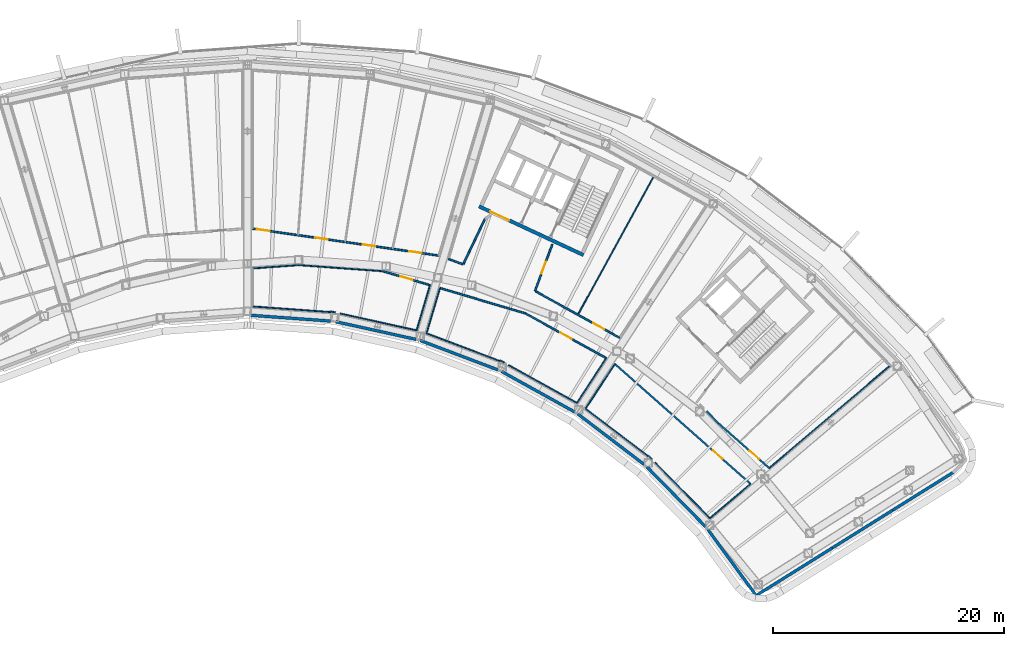
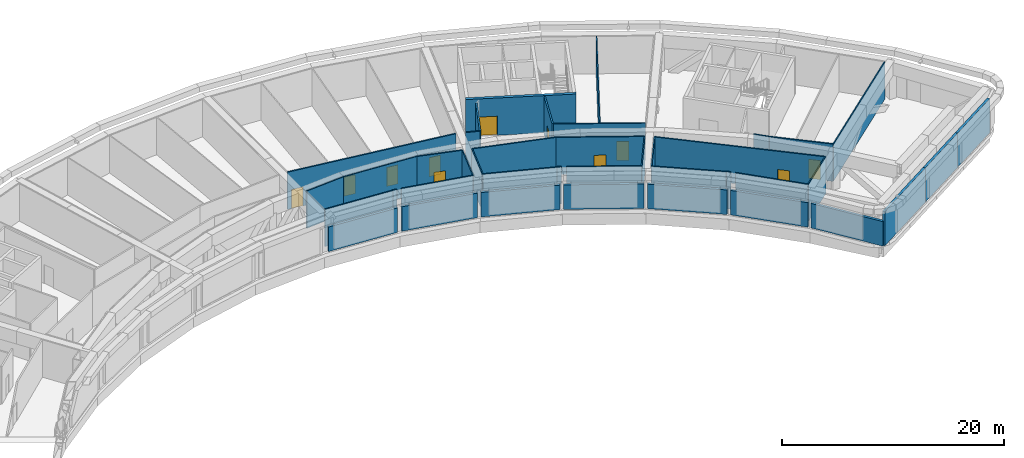
# One storey, part 10 of 25: 40 walls, 11 doors, 11 openings.
"""IFC4 building model written with IfcOpenShell, lengths in metres."""

from ifc_helpers import new_model, si_unit, direction, frame, frame_2d, origin, place, context, subcontext, project, spatial, rectangle, extrude, material, layer, layer_set, type_object, element, fill, save


model = new_model("IFC4")

# Units and contexts
model_context = context("Model", 3, precision=1e-05, world=origin(), true_north=direction((0.0, 1.0)))
body_context = subcontext(model_context, "Body", "Model", "MODEL_VIEW")
ifc_project = project(units=[si_unit("LENGTHUNIT", "METRE"), si_unit("AREAUNIT", "SQUARE_METRE"), si_unit("VOLUMEUNIT", "CUBIC_METRE"), si_unit("PLANEANGLEUNIT", "RADIAN"), si_unit("MASSUNIT", "GRAM", prefix="KILO")], contexts=[model_context])

# Site, building, storey
site_placement = place(None, origin())
site = spatial("IfcSite", under=ifc_project, at=site_placement, CompositionType="ELEMENT")
building_placement = place(site_placement, origin())
building = spatial("IfcBuilding", under=site, at=building_placement, Name="Tuul Gate Civic Tower", CompositionType="ELEMENT")
storey_placement = place(building_placement, frame((0.0, 0.0, 133.699951171875)))
storey = spatial("IfcBuildingStorey", under=building, at=storey_placement, Name="Plant and refuge floor 4", CompositionType="ELEMENT", Elevation=133.699951171875)

# Wall, opening, door
ifc_material_1 = material(Name="Concrete C50/60", Category="concrete")
ifc_layer_1 = layer(ifc_material_1, 0.300048828125)
ifc_layer_set_1 = layer_set([ifc_layer_1], Name="Concrete C50/60")
wall_type_1 = type_object("IfcWallType", Name="Core wall C50/60", PredefinedType="SHEAR", material=ifc_layer_set_1)
wall_1_placement = place(storey_placement, frame((34.5283203125, -7.25, 0.0), z_axis=(0.0, 0.0, 1.0), x_axis=(-0.906310338845, 0.422612789327, 0.0)))
wall_1 = element("IfcWall", 1, at=wall_1_placement, inside=storey, type_object=wall_type_1, Name="Core wall", PredefinedType="SHEAR", context=body_context, shape_type="SweptSolid", body=[
    extrude(rectangle(XDim=9.999755859375, YDim=0.300048828125, at=frame_2d((5.0, 0.0))), origin(), (0.0, 0.0, 1.0), 4.10009765625),
])
opening_1_placement = place(wall_1_placement, frame((7.125, 0.0, 0.0)))
opening_1 = element("IfcOpeningElement", 2, at=opening_1_placement, cuts=wall_1, Name="Opening LB-E3-LOBBY-1", PredefinedType="OPENING", context=body_context, shape_type="SweptSolid", body=[
    extrude(rectangle(XDim=1.800048828125, YDim=2.10009765625, at=frame_2d((0.89990234375, 1.050048828125))), frame((0.0, 0.16015625, 0.0), z_axis=(0.0, -1.0, 0.0), x_axis=(1.0, 0.0, 0.0)), (0.0, 0.0, 1.0), 0.320068359375),
])
ifc_material_2 = material(Name="Steel", Category="steel")
door_type_1 = type_object("IfcDoorType", Name="Lobby door", OperationType="DOUBLE_DOOR_SINGLE_SWING", PredefinedType="DOOR", material=ifc_material_2)
door_1_placement = place(opening_1_placement, frame((1.800048828125, 0.0, 0.0), z_axis=(0.0, 0.0, 1.0), x_axis=(-1.0, 0.0, 0.0)))
door_1 = element("IfcDoor", 3, at=door_1_placement, inside=storey, type_object=door_type_1, Name="Lobby door E3-LOBBY", OperationType="DOUBLE_DOOR_SINGLE_SWING", OverallHeight=2.10009765625, OverallWidth=1.800048828125, PredefinedType="DOOR", context=body_context, shape_type="SweptSolid", body=[
    extrude(rectangle(XDim=1.800048828125, YDim=2.10009765625, at=frame_2d((0.900146484375, 1.050048828125))), frame((0.0, 0.02490234375, 0.0), z_axis=(0.0, -1.0, 0.0), x_axis=(1.0, 0.0, 0.0)), (0.0, 0.0, 1.0), 0.050048828125),
])
fill(opening_1, door_1)

ifc_material_3 = material(Name="Gypsum board partition")
ifc_layer_2 = layer(ifc_material_3, 0.14990234375)
ifc_layer_set_2 = layer_set([ifc_layer_2], Name="Gypsum board partition")
wall_type_2 = type_object("IfcWallType", Name="Corridor wall P150", PredefinedType="PARTITIONING", material=ifc_layer_set_2)
wall_2_placement = place(storey_placement, frame((46.232421875, -21.843505859375, 0.0), z_axis=(0.0, 0.0, 1.0), x_axis=(0.749758807728, -0.661711213623, 0.0)))
wall_2 = element("IfcWall", 4, at=wall_2_placement, inside=storey, type_object=wall_type_2, Name="p023", PredefinedType="PARTITIONING", context=body_context, shape_type="SweptSolid", body=[
    extrude(rectangle(XDim=5.85888671875, YDim=0.14990234375, at=frame_2d((2.929443359375, 0.0))), origin(), (0.0, 0.0, 1.0), 4.10009765625),
])
opening_2_placement = place(wall_2_placement, frame((3.59423828125, 0.0, 0.0)))
opening_2 = element("IfcOpeningElement", 5, at=opening_2_placement, cuts=wall_2, Name="Opening PB-D04", PredefinedType="OPENING", context=body_context, shape_type="SweptSolid", body=[
    extrude(rectangle(XDim=1.10009765625, YDim=2.10009765625, at=frame_2d((0.550048828125, 1.050048828125))), frame((0.0, 0.0849609375, 0.0), z_axis=(0.0, -1.0, 0.0), x_axis=(1.0, 0.0, 0.0)), (0.0, 0.0, 1.0), 0.169921875),
])
ifc_material_4 = material(Name="Timber door leaf", Category="wood")
door_type_2 = type_object("IfcDoorType", Name="Door D11", OperationType="NOTDEFINED", PredefinedType="DOOR", material=ifc_material_4)
door_2_placement = place(opening_2_placement, origin())
door_2 = element("IfcDoor", 6, at=door_2_placement, inside=storey, type_object=door_type_2, Name="Door PB-D04", OperationType="SINGLE_SWING_RIGHT", OverallHeight=2.10009765625, OverallWidth=1.10009765625, PredefinedType="DOOR", context=body_context, shape_type="SweptSolid", body=[
    extrude(rectangle(XDim=1.10009765625, YDim=2.10009765625, at=frame_2d((0.550048828125, 1.050048828125))), frame((0.0, 0.02490234375, 0.0), z_axis=(0.0, -1.0, 0.0), x_axis=(1.0, 0.0, 0.0)), (0.0, 0.0, 1.0), 0.050048828125),
])
fill(opening_2, door_2)

# Wall
wall_3_placement = place(storey_placement, frame((45.18994140625, -20.77978515625, 0.0), z_axis=(0.0, 0.0, 1.0), x_axis=(0.69994028848, -0.714201366957, 0.0)))
element("IfcWall", 7, at=wall_3_placement, inside=storey, type_object=wall_type_2, Name="p026", PredefinedType="PARTITIONING", context=body_context, shape_type="SweptSolid", body=[
    extrude(rectangle(XDim=1.489501953125, YDim=0.14990234375, at=frame_2d((0.74462890625, 0.0))), origin(), (0.0, 0.0, 1.0), 4.10009765625),
])

# Wall, opening, door
wall_4_placement = place(storey_placement, frame((37.240478515625, -16.68701171875, 0.0), z_axis=(0.0, 0.0, 1.0), x_axis=(0.749307383061, -0.662222353663, 0.0)))
wall_4 = element("IfcWall", 8, at=wall_4_placement, inside=storey, type_object=wall_type_2, Name="p027", PredefinedType="PARTITIONING", context=body_context, shape_type="SweptSolid", body=[
    extrude(rectangle(XDim=15.707763671875, YDim=0.14990234375, at=frame_2d((7.85400390625, 0.0))), origin(), (0.0, 0.0, 1.0), 4.10009765625),
])
opening_3_placement = place(wall_4_placement, frame((11.35400390625, 0.0, 0.0)))
opening_3 = element("IfcOpeningElement", 9, at=opening_3_placement, cuts=wall_4, Name="Opening PB-D06", PredefinedType="OPENING", context=body_context, shape_type="SweptSolid", body=[
    extrude(rectangle(XDim=1.10009765625, YDim=2.10009765625, at=frame_2d((0.550048828125, 1.050048828125))), frame((0.0, 0.0849609375, 0.0), z_axis=(0.0, -1.0, 0.0), x_axis=(1.0, 0.0, 0.0)), (0.0, 0.0, 1.0), 0.169921875),
])
door_3_placement = place(opening_3_placement, frame((1.10009765625, 0.0, 0.0), z_axis=(0.0, 0.0, 1.0), x_axis=(-1.0, 0.0, 0.0)))
door_3 = element("IfcDoor", 10, at=door_3_placement, inside=storey, type_object=door_type_2, Name="Door PB-D06", OperationType="SINGLE_SWING_LEFT", OverallHeight=2.10009765625, OverallWidth=1.10009765625, PredefinedType="DOOR", context=body_context, shape_type="SweptSolid", body=[
    extrude(rectangle(XDim=1.10009765625, YDim=2.10009765625, at=frame_2d((0.550048828125, 1.050048828125))), frame((0.0, 0.02490234375, 0.0), z_axis=(0.0, -1.0, 0.0), x_axis=(1.0, 0.0, 0.0)), (0.0, 0.0, 1.0), 0.050048828125),
])
fill(opening_3, door_3)

wall_5_placement = place(storey_placement, frame((30.372802734375, -10.395263671875, 0.0), z_axis=(0.0, 0.0, 1.0), x_axis=(0.874966536261, -0.484183395444, 0.0)))
wall_5 = element("IfcWall", 11, at=wall_5_placement, inside=storey, type_object=wall_type_2, Name="p029", PredefinedType="PARTITIONING", context=body_context, shape_type="SweptSolid", body=[
    extrude(rectangle(XDim=8.312255859375, YDim=0.14990234375, at=frame_2d((4.15625, 0.0))), origin(), (0.0, 0.0, 1.0), 4.10009765625),
])
opening_4_placement = place(wall_5_placement, frame((5.69970703125, 0.0, 0.0)))
opening_4 = element("IfcOpeningElement", 12, at=opening_4_placement, cuts=wall_5, Name="Opening PB-D07", PredefinedType="OPENING", context=body_context, shape_type="SweptSolid", body=[
    extrude(rectangle(XDim=1.10009765625, YDim=2.10009765625, at=frame_2d((0.550048828125, 1.050048828125))), frame((0.0, 0.0849609375, 0.0), z_axis=(0.0, -1.0, 0.0), x_axis=(1.0, 0.0, 0.0)), (0.0, 0.0, 1.0), 0.169921875),
])
door_4_placement = place(opening_4_placement, origin())
door_4 = element("IfcDoor", 13, at=door_4_placement, inside=storey, type_object=door_type_2, Name="Door PB-D07", OperationType="SINGLE_SWING_RIGHT", OverallHeight=2.10009765625, OverallWidth=1.10009765625, PredefinedType="DOOR", context=body_context, shape_type="SweptSolid", body=[
    extrude(rectangle(XDim=1.10009765625, YDim=2.10009765625, at=frame_2d((0.550048828125, 1.050048828125))), frame((0.0, 0.02490234375, 0.0), z_axis=(0.0, -1.0, 0.0), x_axis=(1.0, 0.0, 0.0)), (0.0, 0.0, 1.0), 0.050048828125),
])
fill(opening_4, door_4)

# Wall
wall_6_placement = place(storey_placement, frame((22.828125, -7.5908203125, 0.0), z_axis=(0.0, 0.0, 1.0), x_axis=(0.937353206963, -0.348380489401, 0.0)))
element("IfcWall", 14, at=wall_6_placement, inside=storey, type_object=wall_type_2, Name="p030", PredefinedType="PARTITIONING", context=body_context, shape_type="SweptSolid", body=[
    extrude(rectangle(XDim=1.327392578125, YDim=0.14990234375, at=frame_2d((0.66357421875, 0.0))), origin(), (0.0, 0.0, 1.0), 4.10009765625),
])

# Wall, opening, door
wall_7_placement = place(storey_placement, frame((30.3193359375, -10.352783203125, 0.0), z_axis=(0.0, 0.0, 1.0), x_axis=(0.348411551992, 0.937341661529, 0.0)))
wall_7 = element("IfcWall", 15, at=wall_7_placement, inside=storey, type_object=wall_type_2, Name="p031", PredefinedType="PARTITIONING", context=body_context, shape_type="SweptSolid", body=[
    extrude(rectangle(XDim=4.303955078125, YDim=0.14990234375, at=frame_2d((2.15185546875, 0.0))), origin(), (0.0, 0.0, 1.0), 4.10009765625),
])
opening_5_placement = place(wall_7_placement, frame((1.60205078125, 0.0, 0.0)))
opening_5 = element("IfcOpeningElement", 16, at=opening_5_placement, cuts=wall_7, Name="Opening PB-D08", PredefinedType="OPENING", context=body_context, shape_type="SweptSolid", body=[
    extrude(rectangle(XDim=1.10009765625, YDim=2.10009765625, at=frame_2d((0.550048828125, 1.050048828125))), frame((0.0, 0.0849609375, 0.0), z_axis=(0.0, -1.0, 0.0), x_axis=(1.0, 0.0, 0.0)), (0.0, 0.0, 1.0), 0.169921875),
])
door_5_placement = place(opening_5_placement, frame((1.10009765625, 0.0, 0.0), z_axis=(0.0, 0.0, 1.0), x_axis=(-1.0, 0.0, 0.0)))
door_5 = element("IfcDoor", 17, at=door_5_placement, inside=storey, type_object=door_type_2, Name="Door PB-D08", OperationType="SINGLE_SWING_LEFT", OverallHeight=2.10009765625, OverallWidth=1.10009765625, PredefinedType="DOOR", context=body_context, shape_type="SweptSolid", body=[
    extrude(rectangle(XDim=1.10009765625, YDim=2.10009765625, at=frame_2d((0.550048828125, 1.050048828125))), frame((0.0, 0.02490234375, 0.0), z_axis=(0.0, -1.0, 0.0), x_axis=(1.0, 0.0, 0.0)), (0.0, 0.0, 1.0), 0.050048828125),
])
fill(opening_5, door_5)

# Wall
wall_8_placement = place(storey_placement, frame((24.098388671875, -8.04296875, 0.0), z_axis=(0.0, 0.0, 1.0), x_axis=(0.431940171464, 0.901902260933, 0.0)))
element("IfcWall", 18, at=wall_8_placement, inside=storey, type_object=wall_type_2, Name="p033", PredefinedType="PARTITIONING", context=body_context, shape_type="SweptSolid", body=[
    extrude(rectangle(XDim=4.3662109375, YDim=0.14990234375, at=frame_2d((2.18310546875, 0.0))), origin(), (0.0, 0.0, 1.0), 4.10009765625),
])

# Wall, opening, door
wall_9_placement = place(storey_placement, frame((29.495849609375, -12.31005859375, 0.0), z_axis=(0.0, 0.0, 1.0), x_axis=(0.874960865371, -0.484193643152, 0.0)))
wall_9 = element("IfcWall", 19, at=wall_9_placement, inside=storey, type_object=wall_type_2, Name="p034", PredefinedType="PARTITIONING", context=body_context, shape_type="SweptSolid", body=[
    extrude(rectangle(XDim=7.9990234375, YDim=0.14990234375, at=frame_2d((3.99951171875, 0.0))), origin(), (0.0, 0.0, 1.0), 4.10009765625),
])
opening_6_placement = place(wall_9_placement, frame((3.449462890625, 0.0, 0.0)))
opening_6 = element("IfcOpeningElement", 20, at=opening_6_placement, cuts=wall_9, Name="Opening PB-D09", PredefinedType="OPENING", context=body_context, shape_type="SweptSolid", body=[
    extrude(rectangle(XDim=1.10009765625, YDim=2.10009765625, at=frame_2d((0.550048828125, 1.050048828125))), frame((0.0, 0.0849609375, 0.0), z_axis=(0.0, -1.0, 0.0), x_axis=(1.0, 0.0, 0.0)), (0.0, 0.0, 1.0), 0.169921875),
])
door_6_placement = place(opening_6_placement, frame((1.10009765625, 0.0, 0.0), z_axis=(0.0, 0.0, 1.0), x_axis=(-1.0, 0.0, 0.0)))
door_6 = element("IfcDoor", 21, at=door_6_placement, inside=storey, type_object=door_type_2, Name="Door PB-D09", OperationType="SINGLE_SWING_LEFT", OverallHeight=2.10009765625, OverallWidth=1.10009765625, PredefinedType="DOOR", context=body_context, shape_type="SweptSolid", body=[
    extrude(rectangle(XDim=1.10009765625, YDim=2.10009765625, at=frame_2d((0.550048828125, 1.050048828125))), frame((0.0, 0.02490234375, 0.0), z_axis=(0.0, -1.0, 0.0), x_axis=(1.0, 0.0, 0.0)), (0.0, 0.0, 1.0), 0.050048828125),
])
fill(opening_6, door_6)

wall_10_placement = place(storey_placement, frame((17.15478515625, -8.6513671875, 0.0), z_axis=(0.0, 0.0, 1.0), x_axis=(0.95876670328, -0.284194315005, 0.0)))
wall_10 = element("IfcWall", 22, at=wall_10_placement, inside=storey, type_object=wall_type_2, Name="p035", PredefinedType="PARTITIONING", context=body_context, shape_type="SweptSolid", body=[
    extrude(rectangle(XDim=4.235107421875, YDim=0.14990234375, at=frame_2d((2.11767578125, 0.0))), origin(), (0.0, 0.0, 1.0), 4.10009765625),
])
opening_7_placement = place(wall_10_placement, frame((1.567626953125, 0.0, 0.0)))
opening_7 = element("IfcOpeningElement", 23, at=opening_7_placement, cuts=wall_10, Name="Opening PB-D14", PredefinedType="OPENING", context=body_context, shape_type="SweptSolid", body=[
    extrude(rectangle(XDim=1.10009765625, YDim=2.10009765625, at=frame_2d((0.550048828125, 1.050048828125))), frame((0.0, 0.0849609375, 0.0), z_axis=(0.0, -1.0, 0.0), x_axis=(1.0, 0.0, 0.0)), (0.0, 0.0, 1.0), 0.169921875),
])
door_7_placement = place(opening_7_placement, frame((1.10009765625, 0.0, 0.0), z_axis=(0.0, 0.0, 1.0), x_axis=(-1.0, 0.0, 0.0)))
door_7 = element("IfcDoor", 24, at=door_7_placement, inside=storey, type_object=door_type_2, Name="Door PB-D14", OperationType="SINGLE_SWING_LEFT", OverallHeight=2.10009765625, OverallWidth=1.10009765625, PredefinedType="DOOR", context=body_context, shape_type="SweptSolid", body=[
    extrude(rectangle(XDim=1.10009765625, YDim=2.10009765625, at=frame_2d((0.550048828125, 1.050048828125))), frame((0.0, 0.02490234375, 0.0), z_axis=(0.0, -1.0, 0.0), x_axis=(1.0, 0.0, 0.0)), (0.0, 0.0, 1.0), 0.050048828125),
])
fill(opening_7, door_7)

# Wall
wall_11_placement = place(storey_placement, frame((22.078125, -10.110595703125, 0.0), z_axis=(0.0, 0.0, 1.0), x_axis=(0.958765928242, -0.284196929683, 0.0)))
element("IfcWall", 25, at=wall_11_placement, inside=storey, type_object=wall_type_2, Name="p036", PredefinedType="PARTITIONING", context=body_context, shape_type="SweptSolid", body=[
    extrude(rectangle(XDim=7.730712890625, YDim=0.14990234375, at=frame_2d((3.865234375, 0.0))), origin(), (0.0, 0.0, 1.0), 4.10009765625),
])

# Wall, openings, doors
wall_12_placement = place(storey_placement, frame((5.823974609375, -4.952392578125, 0.0), z_axis=(0.0, 0.0, 1.0), x_axis=(0.989621081751, -0.143701477213, 0.0)))
wall_12 = element("IfcWall", 26, at=wall_12_placement, inside=storey, type_object=wall_type_2, Name="p038", PredefinedType="PARTITIONING", context=body_context, shape_type="SweptSolid", body=[
    extrude(rectangle(XDim=16.32177734375, YDim=0.14990234375, at=frame_2d((8.160888671875, 0.0))), origin(), (0.0, 0.0, 1.0), 4.10009765625),
])
opening_8_placement = place(wall_12_placement, frame((13.74072265625, 0.0, 0.0)))
opening_8 = element("IfcOpeningElement", 27, at=opening_8_placement, cuts=wall_12, Name="Opening PB-D10", PredefinedType="OPENING", context=body_context, shape_type="SweptSolid", body=[
    extrude(rectangle(XDim=1.10009765625, YDim=2.10009765625, at=frame_2d((0.550048828125, 1.050048828125))), frame((0.0, 0.0849609375, 0.0), z_axis=(0.0, -1.0, 0.0), x_axis=(1.0, 0.0, 0.0)), (0.0, 0.0, 1.0), 0.169921875),
])
opening_9_placement = place(wall_12_placement, frame((9.6416015625, 0.0, 0.0)))
opening_9 = element("IfcOpeningElement", 28, at=opening_9_placement, cuts=wall_12, Name="Opening PB-D11", PredefinedType="OPENING", context=body_context, shape_type="SweptSolid", body=[
    extrude(rectangle(XDim=1.10009765625, YDim=2.10009765625, at=frame_2d((0.550048828125, 1.050048828125))), frame((0.0, 0.0849609375, 0.0), z_axis=(0.0, -1.0, 0.0), x_axis=(1.0, 0.0, 0.0)), (0.0, 0.0, 1.0), 0.169921875),
])
opening_10_placement = place(wall_12_placement, frame((5.5048828125, 0.0, 0.0)))
opening_10 = element("IfcOpeningElement", 29, at=opening_10_placement, cuts=wall_12, Name="Opening PB-D12", PredefinedType="OPENING", context=body_context, shape_type="SweptSolid", body=[
    extrude(rectangle(XDim=1.10009765625, YDim=2.10009765625, at=frame_2d((0.550048828125, 1.050048828125))), frame((0.0, 0.0849609375, 0.0), z_axis=(0.0, -1.0, 0.0), x_axis=(1.0, 0.0, 0.0)), (0.0, 0.0, 1.0), 0.169921875),
])
opening_11_placement = place(wall_12_placement, frame((0.39306640625, 0.0, 0.0)))
opening_11 = element("IfcOpeningElement", 30, at=opening_11_placement, cuts=wall_12, Name="Opening PB-D13", PredefinedType="OPENING", context=body_context, shape_type="SweptSolid", body=[
    extrude(rectangle(XDim=1.10009765625, YDim=2.10009765625, at=frame_2d((0.550048828125, 1.050048828125))), frame((0.0, 0.0849609375, 0.0), z_axis=(0.0, -1.0, 0.0), x_axis=(1.0, 0.0, 0.0)), (0.0, 0.0, 1.0), 0.169921875),
])
door_8_placement = place(opening_8_placement, origin())
door_8 = element("IfcDoor", 31, at=door_8_placement, inside=storey, type_object=door_type_2, Name="Door PB-D10", OperationType="SINGLE_SWING_RIGHT", OverallHeight=2.10009765625, OverallWidth=1.10009765625, PredefinedType="DOOR", context=body_context, shape_type="SweptSolid", body=[
    extrude(rectangle(XDim=1.10009765625, YDim=2.10009765625, at=frame_2d((0.550048828125, 1.050048828125))), frame((0.0, 0.02490234375, 0.0), z_axis=(0.0, -1.0, 0.0), x_axis=(1.0, 0.0, 0.0)), (0.0, 0.0, 1.0), 0.050048828125),
])
fill(opening_8, door_8)
door_9_placement = place(opening_9_placement, origin())
door_9 = element("IfcDoor", 32, at=door_9_placement, inside=storey, type_object=door_type_2, Name="Door PB-D11", OperationType="SINGLE_SWING_RIGHT", OverallHeight=2.10009765625, OverallWidth=1.10009765625, PredefinedType="DOOR", context=body_context, shape_type="SweptSolid", body=[
    extrude(rectangle(XDim=1.10009765625, YDim=2.10009765625, at=frame_2d((0.550048828125, 1.050048828125))), frame((0.0, 0.02490234375, 0.0), z_axis=(0.0, -1.0, 0.0), x_axis=(1.0, 0.0, 0.0)), (0.0, 0.0, 1.0), 0.050048828125),
])
fill(opening_9, door_9)
door_10_placement = place(opening_10_placement, origin())
door_10 = element("IfcDoor", 33, at=door_10_placement, inside=storey, type_object=door_type_2, Name="Door PB-D12", OperationType="SINGLE_SWING_RIGHT", OverallHeight=2.10009765625, OverallWidth=1.10009765625, PredefinedType="DOOR", context=body_context, shape_type="SweptSolid", body=[
    extrude(rectangle(XDim=1.10009765625, YDim=2.10009765625, at=frame_2d((0.550048828125, 1.050048828125))), frame((0.0, 0.02490234375, 0.0), z_axis=(0.0, -1.0, 0.0), x_axis=(1.0, 0.0, 0.0)), (0.0, 0.0, 1.0), 0.050048828125),
])
fill(opening_10, door_10)
door_11_placement = place(opening_11_placement, origin())
door_11 = element("IfcDoor", 34, at=door_11_placement, inside=storey, type_object=door_type_2, Name="Door PB-D13", OperationType="SINGLE_SWING_LEFT", OverallHeight=2.10009765625, OverallWidth=1.10009765625, PredefinedType="DOOR", context=body_context, shape_type="SweptSolid", body=[
    extrude(rectangle(XDim=1.10009765625, YDim=2.10009765625, at=frame_2d((0.550048828125, 1.050048828125))), frame((0.0, 0.02490234375, 0.0), z_axis=(0.0, -1.0, 0.0), x_axis=(1.0, 0.0, 0.0)), (0.0, 0.0, 1.0), 0.050048828125),
])
fill(opening_11, door_11)

# Walls
ifc_material_5 = material(Name="Precast concrete C40/50", Category="concrete")
ifc_layer_3 = layer(ifc_material_5, 0.25)
ifc_layer_set_3 = layer_set([ifc_layer_3], Name="Precast concrete C40/50")
wall_type_3 = type_object("IfcWallType", Name="External wall", PredefinedType="STANDARD", material=ifc_layer_set_3)
wall_13_placement = place(storey_placement, frame((49.492919921875, -36.77392578125, 0.0), z_axis=(0.0, 0.0, 1.0), x_axis=(0.848059933221, 0.529900320499, 0.0)))
element("IfcWall", 35, at=wall_13_placement, inside=storey, type_object=wall_type_3, Name="External wall", PredefinedType="STANDARD", context=body_context, shape_type="SweptSolid", body=[
    extrude(rectangle(XDim=7.78857421875, YDim=0.25, at=frame_2d((3.894287109375, 0.0))), origin(), (0.0, 0.0, 1.0), 3.75),
])
wall_14_placement = place(storey_placement, frame((56.09814453125, -32.646728515625, 0.0), z_axis=(0.0, 0.0, 1.0), x_axis=(0.848042669488, 0.529927948619, 0.0)))
element("IfcWall", 36, at=wall_14_placement, inside=storey, type_object=wall_type_3, Name="External wall", PredefinedType="STANDARD", context=body_context, shape_type="SweptSolid", body=[
    extrude(rectangle(XDim=6.1826171875, YDim=0.25, at=frame_2d((3.09130859375, 0.0))), origin(), (0.0, 0.0, 1.0), 3.75),
])
wall_15_placement = place(storey_placement, frame((61.34130859375, -29.370361328125, 0.0), z_axis=(0.0, 0.0, 1.0), x_axis=(0.848053758074, 0.529910203164, 0.0)))
element("IfcWall", 37, at=wall_15_placement, inside=storey, type_object=wall_type_3, Name="External wall", PredefinedType="STANDARD", context=body_context, shape_type="SweptSolid", body=[
    extrude(rectangle(XDim=6.182861328125, YDim=0.25, at=frame_2d((3.09130859375, 0.0))), origin(), (0.0, 0.0, 1.0), 3.75),
])
ifc_material_6 = material(Name="Precast concrete C40/50", Category="concrete")
ifc_layer_4 = layer(ifc_material_6, 0.25)
ifc_layer_set_4 = layer_set([ifc_layer_4], Name="Precast concrete C40/50")
wall_type_4 = type_object("IfcWallType", Name="External wall 2700 HIGH", PredefinedType="STANDARD", material=ifc_layer_set_4)
wall_16_placement = place(storey_placement, frame((5.709716796875, -12.47412109375, 0.0), z_axis=(0.0, 0.0, 1.0), x_axis=(0.997387122807, -0.072242143228, 0.0)))
element("IfcWall", 38, at=wall_16_placement, inside=storey, type_object=wall_type_4, Name="External wall", PredefinedType="STANDARD", context=body_context, shape_type="SweptSolid", body=[
    extrude(rectangle(XDim=6.904296875, YDim=0.25, at=frame_2d((3.4521484375, 0.0))), origin(), (0.0, 0.0, 1.0), 2.699951171875),
])
wall_17_placement = place(storey_placement, frame((13.026123046875, -13.02294921875, 0.0), z_axis=(0.0, 0.0, 1.0), x_axis=(0.976560720559, -0.215242094075, 0.0)))
element("IfcWall", 39, at=wall_17_placement, inside=storey, type_object=wall_type_4, Name="External wall", PredefinedType="STANDARD", context=body_context, shape_type="SweptSolid", body=[
    extrude(rectangle(XDim=7.151611328125, YDim=0.25, at=frame_2d((3.57568359375, 0.0))), origin(), (0.0, 0.0, 1.0), 2.699951171875),
])
wall_18_placement = place(storey_placement, frame((20.36767578125, -14.656982421875, 0.0), z_axis=(0.0, 0.0, 1.0), x_axis=(0.935366815182, -0.353679121602, 0.0)))
element("IfcWall", 40, at=wall_18_placement, inside=storey, type_object=wall_type_4, Name="External wall", PredefinedType="STANDARD", context=body_context, shape_type="SweptSolid", body=[
    extrude(rectangle(XDim=7.20947265625, YDim=0.25, at=frame_2d((3.604736328125, 0.0))), origin(), (0.0, 0.0, 1.0), 2.699951171875),
])
wall_19_placement = place(storey_placement, frame((27.42236328125, -17.342041015625, 0.0), z_axis=(0.0, 0.0, 1.0), x_axis=(0.874616834791, -0.484814802064, 0.0)))
element("IfcWall", 41, at=wall_19_placement, inside=storey, type_object=wall_type_4, Name="External wall", PredefinedType="STANDARD", context=body_context, shape_type="SweptSolid", body=[
    extrude(rectangle(XDim=7.23583984375, YDim=0.25, at=frame_2d((3.617919921875, 0.0))), origin(), (0.0, 0.0, 1.0), 2.699951171875),
])
wall_20_placement = place(storey_placement, frame((34.0234375, -21.02197265625, 0.0), z_axis=(0.0, 0.0, 1.0), x_axis=(0.79558167116, -0.605846353884, 0.0)))
element("IfcWall", 42, at=wall_20_placement, inside=storey, type_object=wall_type_4, Name="External wall", PredefinedType="STANDARD", context=body_context, shape_type="SweptSolid", body=[
    extrude(rectangle(XDim=7.24951171875, YDim=0.25, at=frame_2d((3.624755859375, 0.0))), origin(), (0.0, 0.0, 1.0), 2.699951171875),
])
wall_21_placement = place(storey_placement, frame((40.02783203125, -25.62109375, 0.0), z_axis=(0.0, 0.0, 1.0), x_axis=(0.700036408395, -0.714107153669, 0.0)))
element("IfcWall", 43, at=wall_21_placement, inside=storey, type_object=wall_type_4, Name="External wall", PredefinedType="STANDARD", context=body_context, shape_type="SweptSolid", body=[
    extrude(rectangle(XDim=7.252685546875, YDim=0.25, at=frame_2d((3.62646484375, 0.0))), origin(), (0.0, 0.0, 1.0), 2.699951171875),
])
wall_22_placement = place(storey_placement, frame((45.30810546875, -31.04296875, 0.0), z_axis=(0.0, 0.0, 1.0), x_axis=(0.589723268276, -0.807605390555, 0.0)))
element("IfcWall", 44, at=wall_22_placement, inside=storey, type_object=wall_type_4, Name="External wall", PredefinedType="STANDARD", context=body_context, shape_type="SweptSolid", body=[
    extrude(rectangle(XDim=7.09619140625, YDim=0.25, at=frame_2d((3.548095703125, 0.0))), origin(), (0.0, 0.0, 1.0), 2.699951171875),
])
ifc_material_7 = material(Name="Gypsum board partition")
ifc_layer_5 = layer(ifc_material_7, 0.10009765625)
ifc_layer_set_5 = layer_set([ifc_layer_5], Name="Gypsum board partition")
wall_type_5 = type_object("IfcWallType", Name="Partition P100", PredefinedType="PARTITIONING", material=ifc_layer_set_5)
wall_23_placement = place(storey_placement, frame((34.036376953125, -12.422607421875, 0.0), z_axis=(0.0, 0.0, 1.0), x_axis=(0.480976157976, 0.87673367419, 0.0)))
element("IfcWall", 45, at=wall_23_placement, inside=storey, type_object=wall_type_5, Name="p028", PredefinedType="PARTITIONING", context=body_context, shape_type="SweptSolid", body=[
    extrude(rectangle(XDim=13.66552734375, YDim=0.10009765625, at=frame_2d((6.832763671875, 0.0))), origin(), (0.0, 0.0, 1.0), 4.10009765625),
])
wall_24_placement = place(storey_placement, frame((61.0859375, -16.853515625, 0.0), z_axis=(0.0, 0.0, 1.0), x_axis=(-0.762825495465, -0.646604410339, 0.0)))
element("IfcWall", 46, at=wall_24_placement, inside=storey, type_object=wall_type_5, Name="p068", PredefinedType="PARTITIONING", context=body_context, shape_type="SweptSolid", body=[
    extrude(rectangle(XDim=13.713134765625, YDim=0.10009765625, at=frame_2d((6.8564453125, 0.0))), origin(), (0.0, 0.0, 1.0), 4.10009765625),
])
wall_25_placement = place(storey_placement, frame((49.010498046875, -27.089111328125, 0.0), z_axis=(0.0, 0.0, 1.0), x_axis=(-0.762797160605, -0.646637836639, 0.0)))
element("IfcWall", 47, at=wall_25_placement, inside=storey, type_object=wall_type_5, Name="p072", PredefinedType="PARTITIONING", context=body_context, shape_type="SweptSolid", body=[
    extrude(rectangle(XDim=4.6240234375, YDim=0.10009765625, at=frame_2d((2.31201171875, 0.0))), origin(), (0.0, 0.0, 1.0), 4.10009765625),
])
wall_26_placement = place(storey_placement, frame((45.4833984375, -30.0791015625, 0.0), z_axis=(0.0, 0.0, 1.0), x_axis=(-0.699945470534, 0.71419628834, 0.0)))
element("IfcWall", 48, at=wall_26_placement, inside=storey, type_object=wall_type_5, Name="p073", PredefinedType="PARTITIONING", context=body_context, shape_type="SweptSolid", body=[
    extrude(rectangle(XDim=6.7841796875, YDim=0.10009765625, at=frame_2d((3.39208984375, 0.0))), origin(), (0.0, 0.0, 1.0), 4.10009765625),
])
wall_27_placement = place(storey_placement, frame((40.439697265625, -24.9326171875, 0.0), z_axis=(0.0, 0.0, 1.0), x_axis=(-0.700053868945, 0.714090036743, 0.0)))
element("IfcWall", 49, at=wall_27_placement, inside=storey, type_object=wall_type_5, Name="p074", PredefinedType="PARTITIONING", context=body_context, shape_type="SweptSolid", body=[
    extrude(rectangle(XDim=0.41748046875, YDim=0.10009765625, at=frame_2d((0.208740234375, 0.0))), origin(), (0.0, 0.0, 1.0), 4.10009765625),
])
wall_28_placement = place(storey_placement, frame((40.10400390625, -24.67724609375, 0.0), z_axis=(0.0, 0.0, 1.0), x_axis=(-0.795608473432, 0.605811156222, 0.0)))
element("IfcWall", 50, at=wall_28_placement, inside=storey, type_object=wall_type_5, Name="p075", PredefinedType="PARTITIONING", context=body_context, shape_type="SweptSolid", body=[
    extrude(rectangle(XDim=6.7841796875, YDim=0.10009765625, at=frame_2d((3.39208984375, 0.0))), origin(), (0.0, 0.0, 1.0), 4.10009765625),
])
wall_29_placement = place(storey_placement, frame((34.70654296875, -20.5673828125, 0.0), z_axis=(0.0, 0.0, 1.0), x_axis=(0.546761015083, 0.837288715071, 0.0)))
element("IfcWall", 51, at=wall_29_placement, inside=storey, type_object=wall_type_5, Name="p076", PredefinedType="PARTITIONING", context=body_context, shape_type="SweptSolid", body=[
    extrude(rectangle(XDim=4.634521484375, YDim=0.10009765625, at=frame_2d((2.3173828125, 0.0))), origin(), (0.0, 0.0, 1.0), 4.10009765625),
])
wall_30_placement = place(storey_placement, frame((36.49462890625, -16.18310546875, 0.0), z_axis=(0.0, 0.0, 1.0), x_axis=(-0.546761100791, -0.837288659102, 0.0)))
element("IfcWall", 52, at=wall_30_placement, inside=storey, type_object=wall_type_5, Name="p082", PredefinedType="PARTITIONING", context=body_context, shape_type="SweptSolid", body=[
    extrude(rectangle(XDim=4.648681640625, YDim=0.10009765625, at=frame_2d((2.32421875, 0.0))), origin(), (0.0, 0.0, 1.0), 4.10009765625),
])
wall_31_placement = place(storey_placement, frame((33.952880859375, -20.075439453125, 0.0), z_axis=(0.0, 0.0, 1.0), x_axis=(-0.874655915919, 0.484744292125, 0.0)))
element("IfcWall", 53, at=wall_31_placement, inside=storey, type_object=wall_type_5, Name="p083", PredefinedType="PARTITIONING", context=body_context, shape_type="SweptSolid", body=[
    extrude(rectangle(XDim=6.78369140625, YDim=0.10009765625, at=frame_2d((3.391845703125, 0.0))), origin(), (0.0, 0.0, 1.0), 4.10009765625),
])
wall_32_placement = place(storey_placement, frame((27.650634765625, -16.58251953125, 0.0), z_axis=(0.0, 0.0, 1.0), x_axis=(-0.874928607607, 0.484251929879, 0.0)))
element("IfcWall", 54, at=wall_32_placement, inside=storey, type_object=wall_type_5, Name="p084", PredefinedType="PARTITIONING", context=body_context, shape_type="SweptSolid", body=[
    extrude(rectangle(XDim=0.41748046875, YDim=0.10009765625, at=frame_2d((0.208740234375, 0.0))), origin(), (0.0, 0.0, 1.0), 4.10009765625),
])
wall_33_placement = place(storey_placement, frame((27.256103515625, -16.433349609375, 0.0), z_axis=(0.0, 0.0, 1.0), x_axis=(-0.935374761976, 0.353658104188, 0.0)))
element("IfcWall", 55, at=wall_33_placement, inside=storey, type_object=wall_type_5, Name="p085", PredefinedType="PARTITIONING", context=body_context, shape_type="SweptSolid", body=[
    extrude(rectangle(XDim=6.783935546875, YDim=0.10009765625, at=frame_2d((3.39208984375, 0.0))), origin(), (0.0, 0.0, 1.0), 4.10009765625),
])
wall_34_placement = place(storey_placement, frame((20.91064453125, -14.0341796875, 0.0), z_axis=(0.0, 0.0, 1.0), x_axis=(0.285196850799, 0.958468964701, 0.0)))
element("IfcWall", 56, at=wall_34_placement, inside=storey, type_object=wall_type_5, Name="p086", PredefinedType="PARTITIONING", context=body_context, shape_type="SweptSolid", body=[
    extrude(rectangle(XDim=4.093505859375, YDim=0.10009765625, at=frame_2d((2.046875, 0.0))), origin(), (0.0, 0.0, 1.0), 4.10009765625),
])
wall_35_placement = place(storey_placement, frame((21.21533203125, -9.85498046875, 0.0), z_axis=(0.0, 0.0, 1.0), x_axis=(-0.285207275169, -0.95846586282, 0.0)))
element("IfcWall", 57, at=wall_35_placement, inside=storey, type_object=wall_type_5, Name="p093", PredefinedType="PARTITIONING", context=body_context, shape_type="SweptSolid", body=[
    extrude(rectangle(XDim=4.092529296875, YDim=0.10009765625, at=frame_2d((2.04638671875, 0.0))), origin(), (0.0, 0.0, 1.0), 4.10009765625),
])
wall_36_placement = place(storey_placement, frame((20.048095703125, -13.777587890625, 0.0), z_axis=(0.0, 0.0, 1.0), x_axis=(-0.976560718972, 0.215242101274, 0.0)))
element("IfcWall", 58, at=wall_36_placement, inside=storey, type_object=wall_type_5, Name="p094", PredefinedType="PARTITIONING", context=body_context, shape_type="SweptSolid", body=[
    extrude(rectangle(XDim=6.783935546875, YDim=0.10009765625, at=frame_2d((3.39208984375, 0.0))), origin(), (0.0, 0.0, 1.0), 4.10009765625),
])
wall_37_placement = place(storey_placement, frame((13.010986328125, -12.2265625, 0.0), z_axis=(0.0, 0.0, 1.0), x_axis=(-0.976543679102, 0.21531939719, 0.0)))
element("IfcWall", 59, at=wall_37_placement, inside=storey, type_object=wall_type_5, Name="p095", PredefinedType="PARTITIONING", context=body_context, shape_type="SweptSolid", body=[
    extrude(rectangle(XDim=0.417236328125, YDim=0.10009765625, at=frame_2d((0.20849609375, 0.0))), origin(), (0.0, 0.0, 1.0), 4.10009765625),
])
wall_38_placement = place(storey_placement, frame((12.59033203125, -12.196044921875, 0.0), z_axis=(0.0, 0.0, 1.0), x_axis=(-0.997380470642, 0.072333925527, 0.0)))
element("IfcWall", 60, at=wall_38_placement, inside=storey, type_object=wall_type_5, Name="p096", PredefinedType="PARTITIONING", context=body_context, shape_type="SweptSolid", body=[
    extrude(rectangle(XDim=6.7841796875, YDim=0.10009765625, at=frame_2d((3.39208984375, 0.0))), origin(), (0.0, 0.0, 1.0), 4.10009765625),
])
wall_39_placement = place(storey_placement, frame((5.823974609375, -8.41064453125, 0.0), z_axis=(0.0, 0.0, 1.0), x_axis=(0.997379394361, 0.072348764358, 0.0)))
element("IfcWall", 61, at=wall_39_placement, inside=storey, type_object=wall_type_5, Name="p098", PredefinedType="PARTITIONING", context=body_context, shape_type="SweptSolid", body=[
    extrude(rectangle(XDim=4.015625, YDim=0.10009765625, at=frame_2d((2.0078125, 0.0))), origin(), (0.0, 0.0, 1.0), 4.10009765625),
])
wall_40_placement = place(storey_placement, frame((9.8291015625, -8.1201171875, 0.0), z_axis=(0.0, 0.0, 1.0), x_axis=(0.997380835764, -0.072328890843, 0.0)))
element("IfcWall", 62, at=wall_40_placement, inside=storey, type_object=wall_type_5, Name="p099", PredefinedType="PARTITIONING", context=body_context, shape_type="SweptSolid", body=[
    extrude(rectangle(XDim=7.344970703125, YDim=0.10009765625, at=frame_2d((3.67236328125, 0.0))), origin(), (0.0, 0.0, 1.0), 4.10009765625),
])

save(model, "model.ifc")
